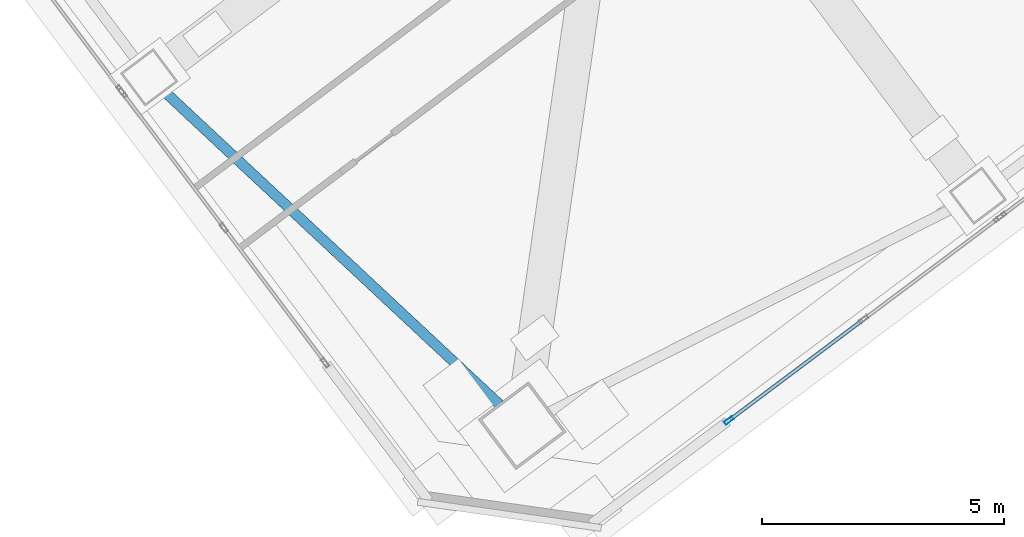
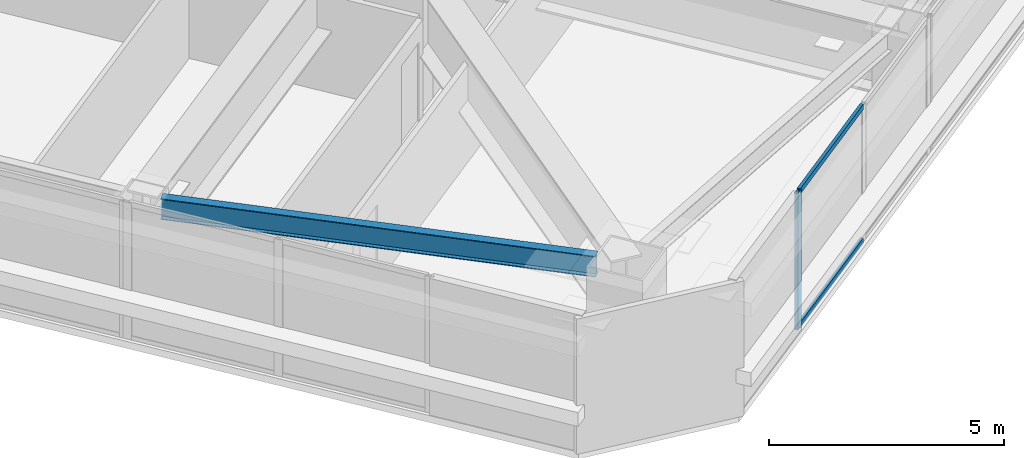
# One storey, part 17 of 42: 3 members, 1 beam, 1 element without a shape of its own.
"""IFC4 building model written with IfcOpenShell, lengths in metres."""

from ifc_helpers import new_model, si_unit, direction, frame, origin, origin_2d, place, context, subcontext, project, spatial, hollow_rectangle, i_section, extrude, material, material_profile, profile_set, type_object, element, aggregate, save


model = new_model("IFC4")

# Units and contexts
model_context = context("Model", 3, precision=1e-05, world=origin(), true_north=direction((0.0, 1.0)))
body_context = subcontext(model_context, "Body", "Model", "MODEL_VIEW")
ifc_project = project(units=[si_unit("LENGTHUNIT", "METRE"), si_unit("AREAUNIT", "SQUARE_METRE"), si_unit("VOLUMEUNIT", "CUBIC_METRE"), si_unit("PLANEANGLEUNIT", "RADIAN"), si_unit("MASSUNIT", "GRAM", prefix="KILO")], contexts=[model_context])

# Site, building, storey
site_placement = place(None, origin())
site = spatial("IfcSite", under=ifc_project, at=site_placement, CompositionType="ELEMENT")
building_placement = place(site_placement, origin())
building = spatial("IfcBuilding", under=site, at=building_placement, Name="Tashvorn Skyway Center", CompositionType="ELEMENT")
storey_placement = place(building_placement, frame((0.0, 0.0, 153.449951171875)))
storey = spatial("IfcBuildingStorey", under=building, at=storey_placement, Name="L41", CompositionType="ELEMENT", Elevation=153.449951171875)

# Beam
ifc_material_1 = material(Name="Steel ASTM A992 Grade 50", Category="steel")
ifc_material_profile_1 = material_profile(ifc_material_1, i_section(OverallWidth=0.2109375, OverallDepth=0.5390625, WebThickness=0.01171875, FlangeThickness=0.018798828125, at=origin_2d()), Name="W21X73")
ifc_profile_set_1 = profile_set([ifc_material_profile_1], Name="Steel ASTM A992 Grade 50")
beam_type = type_object("IfcBeamType", Name="BM-SPANDREL-W21X73", PredefinedType="SPANDREL", material=ifc_profile_set_1)
beam_placement = place(storey_placement, frame((103.427001953125, 16.80322265625, 3.1005859375), z_axis=(0.730843250868, -0.682545341102, 0.0), x_axis=(0.682545341102, 0.730843250868, 0.0)))
element("IfcBeam", 1, at=beam_placement, inside=storey, type_object=beam_type, Name="Tower 2 L41 Spandrel Beam 12", PredefinedType="SPANDREL", context=body_context, shape_type="SweptSolid", body=[
    extrude(i_section(OverallWidth=0.2109375, OverallDepth=0.5390625, WebThickness=0.01171875, FlangeThickness=0.018798828125, at=origin_2d()), origin(), (0.0, 0.0, 1.0), 9.498046875),
])

# Curtain wall, members
ifc_material_2 = material(Name="Thermally broken bronze-anodized aluminium 6063-T6", Category="aluminium")
curtain_wall_type = type_object("IfcCurtainWallType", Name="CW-CW-Z3", PredefinedType="NOTDEFINED", material=ifc_material_2)
curtain_wall_placement = place(storey_placement, origin())
curtain_wall = element("IfcCurtainWall", 2, at=curtain_wall_placement, inside=storey, type_object=curtain_wall_type, Name="Tower 2 L41 South Unitised Curtain Wall Glazing Group 3", PredefinedType="NOTDEFINED")
ifc_material_profile_2 = material_profile(ifc_material_2, hollow_rectangle(XDim=0.074951171875, YDim=0.199951171875, WallThickness=0.00439453125, at=origin_2d()), Name="ALU-MULL-75x200")
ifc_profile_set_2 = profile_set([ifc_material_profile_2], Name="Thermally broken bronze-anodized aluminium 6063-T6")
member_type_1 = type_object("IfcMemberType", Name="CWM-CW-Z3", PredefinedType="MULLION", material=ifc_profile_set_2)
member_1_placement = place(storey_placement, frame((115.1171875, 9.98779296875, 0.0), z_axis=(0.0, 0.0, 1.0), x_axis=(0.600004533995, -0.799996599484, 0.0)))
member_1 = element("IfcMember", 3, at=member_1_placement, type_object=member_type_1, Name="CW-Z3 mullion 3", PredefinedType="MULLION", context=body_context, shape_type="SweptSolid", body=[
    extrude(hollow_rectangle(XDim=0.074951171875, YDim=0.199951171875, WallThickness=0.00439453125, at=origin_2d()), origin(), (0.0, 0.0, 1.0), 3.550048828125),
])
ifc_material_profile_3 = material_profile(ifc_material_2, hollow_rectangle(XDim=0.074951171875, YDim=0.139892578125, WallThickness=0.004150390625, at=origin_2d()), Name="ALU-TRAN-75x140")
ifc_profile_set_3 = profile_set([ifc_material_profile_3], Name="Thermally broken bronze-anodized aluminium 6063-T6")
member_type_2 = type_object("IfcMemberType", Name="CWT-CW-Z3", PredefinedType="USERDEFINED", material=ifc_profile_set_3)
member_2_placement = place(storey_placement, frame((117.880126953125, 12.06005859375, 0.03759765625), z_axis=(-0.799982847995, -0.600022868659, 0.0), x_axis=(0.600022868659, -0.799982847995, 0.0)))
member_2 = element("IfcMember", 4, at=member_2_placement, type_object=member_type_2, Name="CW-Z3 transom 2.1", ObjectType="TRANSOM", PredefinedType="USERDEFINED", context=body_context, shape_type="SweptSolid", body=[
    extrude(hollow_rectangle(XDim=0.074951171875, YDim=0.139892578125, WallThickness=0.004150390625, at=origin_2d()), origin(), (0.0, 0.0, 1.0), 3.416259765625),
])
member_3_placement = place(storey_placement, frame((117.880126953125, 12.06005859375, 3.512451171875), z_axis=(-0.799982847995, -0.600022868659, 0.0), x_axis=(0.600022868659, -0.799982847995, 0.0)))
member_3 = element("IfcMember", 5, at=member_3_placement, type_object=member_type_2, Name="CW-Z3 transom 2.2", ObjectType="TRANSOM", PredefinedType="USERDEFINED", context=body_context, shape_type="SweptSolid", body=[
    extrude(hollow_rectangle(XDim=0.074951171875, YDim=0.139892578125, WallThickness=0.004150390625, at=origin_2d()), origin(), (0.0, 0.0, 1.0), 3.416259765625),
])
aggregate(curtain_wall, [member_1, member_2, member_3])

save(model, "model.ifc")
